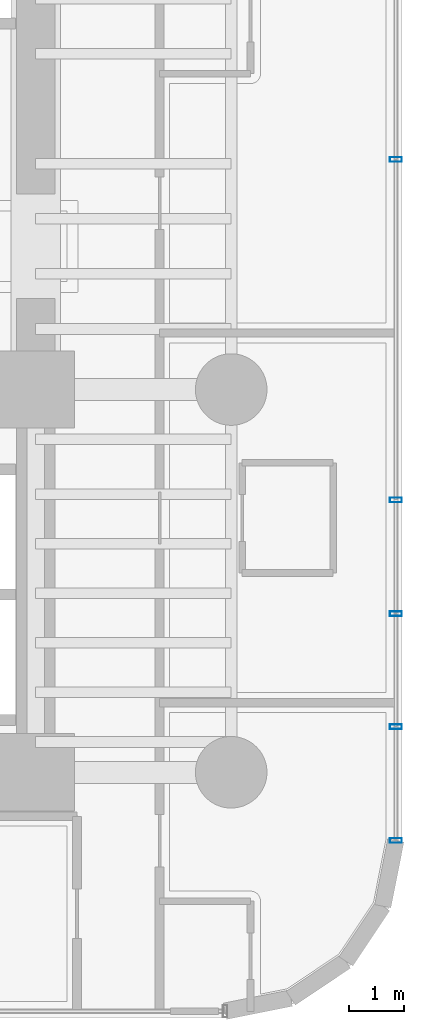
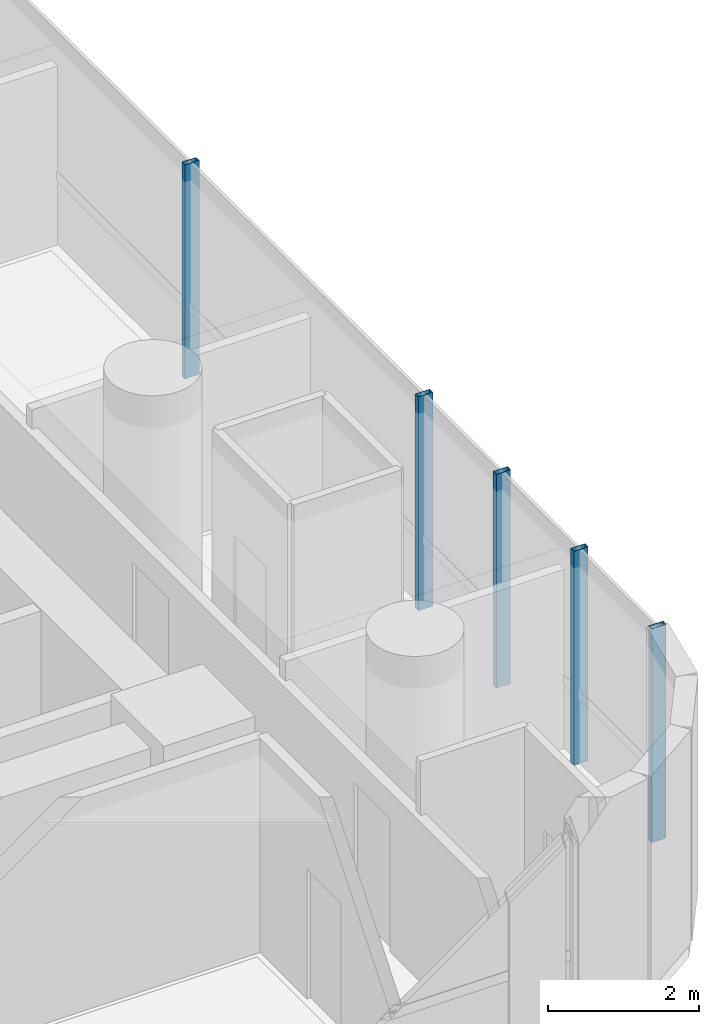
# One storey, part 24 of 39: 5 members, 1 element without a shape of its own.
"""IFC4 building model written with IfcOpenShell, lengths in metres."""

from ifc_helpers import new_model, si_unit, direction, frame, origin, origin_2d, place, context, subcontext, project, spatial, hollow_rectangle, extrude, source, transform, mapped, material, material_profile, profile_set, type_object, element, aggregate, save


model = new_model("IFC4")

# Units and contexts
model_context = context("Model", 3, precision=1e-05, world=origin(), true_north=direction((0.0, 1.0)))
body_context = subcontext(model_context, "Body", "Model", "MODEL_VIEW")
ifc_project = project(units=[si_unit("LENGTHUNIT", "METRE"), si_unit("AREAUNIT", "SQUARE_METRE"), si_unit("VOLUMEUNIT", "CUBIC_METRE"), si_unit("PLANEANGLEUNIT", "RADIAN"), si_unit("MASSUNIT", "GRAM", prefix="KILO")], contexts=[model_context])

# Site, building, storey
site_placement = place(None, origin())
site = spatial("IfcSite", under=ifc_project, at=site_placement, CompositionType="ELEMENT")
building_placement = place(site_placement, origin())
building = spatial("IfcBuilding", under=site, at=building_placement, Name="Valdorenza Pilgrim Sanctuary Tower", CompositionType="ELEMENT")
storey_placement = place(building_placement, frame((0.0, 0.0, 70.39990234375)))
storey = spatial("IfcBuildingStorey", under=building, at=storey_placement, Name="L17", CompositionType="ELEMENT", Elevation=70.39990234375)

# Curtain wall, members
ifc_material_1 = material(Name="Curtain-wall IGU glazing", Category="glass")
curtain_wall_type = type_object("IfcCurtainWallType", Name="CW-SYS-03", PredefinedType="NOTDEFINED", material=ifc_material_1)
curtain_wall_placement = place(storey_placement, origin())
curtain_wall = element("IfcCurtainWall", 1, at=curtain_wall_placement, inside=storey, type_object=curtain_wall_type, Name="L17 Curtain Wall CW-L17-1-21", PredefinedType="NOTDEFINED")
ifc_material_2 = material(Name="Anodised aluminium AW-6060", Category="aluminium")
ifc_material_profile = material_profile(ifc_material_2, hollow_rectangle(XDim=0.0849609375, YDim=0.219970703125, WallThickness=0.0048828125, at=origin_2d()), Name="ALU-M 220x85x5")
ifc_profile_set = profile_set([ifc_material_profile], Name="Anodised aluminium AW-6060")
member_type = type_object("IfcMemberType", Name="CW-MUL-03", PredefinedType="MULLION", material=ifc_profile_set)
shared_shape = source(origin(), body_context, "Body", "SweptSolid", [
    extrude(hollow_rectangle(XDim=0.0849609375, YDim=0.219970703125, WallThickness=0.0048828125, at=origin_2d()), origin(), (0.0, 0.0, 1.0), 3.460205078125),
])
member_1_placement = place(storey_placement, frame((31.389892578125, 1.577880859375, 0.0), z_axis=(0.0, 0.0, 1.0), x_axis=(0.0, -1.0, 0.0)))
member_1 = element("IfcMember", 2, at=member_1_placement, type_object=member_type, Name="CW-L17-1-21 Mullion 3", PredefinedType="MULLION", context=body_context, shape_type="MappedRepresentation", body=[
    mapped(shared_shape, transform((0.0, 0.0, 0.0), x_axis=(1.0, 0.0, 0.0), y_axis=(0.0, 1.0, 0.0), z_axis=(0.0, 0.0, 1.0), scale=1.0)),
])
member_2_placement = place(storey_placement, frame((31.389892578125, -4.605712890625, 0.0), z_axis=(0.0, 0.0, 1.0), x_axis=(0.0, -1.0, 0.0)))
member_2 = element("IfcMember", 3, at=member_2_placement, type_object=member_type, Name="CW-L17-1-21 Mullion 4", PredefinedType="MULLION", context=body_context, shape_type="MappedRepresentation", body=[
    mapped(shared_shape, transform((0.0, 0.0, 0.0), x_axis=(1.0, 0.0, 0.0), y_axis=(0.0, 1.0, 0.0), z_axis=(0.0, 0.0, 1.0), scale=1.0)),
])
member_3_placement = place(storey_placement, frame((31.389892578125, -10.789306640625, 0.0), z_axis=(0.0, 0.0, 1.0), x_axis=(0.0, -1.0, 0.0)))
member_3 = element("IfcMember", 4, at=member_3_placement, type_object=member_type, Name="CW-L17-1-21 Mullion 5", PredefinedType="MULLION", context=body_context, shape_type="MappedRepresentation", body=[
    mapped(shared_shape, transform((0.0, 0.0, 0.0), x_axis=(1.0, 0.0, 0.0), y_axis=(0.0, 1.0, 0.0), z_axis=(0.0, 0.0, 1.0), scale=1.0)),
])
member_4_placement = place(storey_placement, frame((31.389892578125, -6.670166015625, 0.0), z_axis=(0.0, 0.0, 1.0), x_axis=(0.0, -1.0, 0.0)))
member_4 = element("IfcMember", 5, at=member_4_placement, type_object=member_type, Name="CW-L17-1-21 Sub-Mullion 27-1", PredefinedType="MULLION", context=body_context, shape_type="MappedRepresentation", body=[
    mapped(shared_shape, transform((0.0, 0.0, 0.0), x_axis=(1.0, 0.0, 0.0), y_axis=(0.0, 1.0, 0.0), z_axis=(0.0, 0.0, 1.0), scale=1.0)),
])
member_5_placement = place(storey_placement, frame((31.389892578125, -8.724609375, 0.0), z_axis=(0.0, 0.0, 1.0), x_axis=(0.0, -1.0, 0.0)))
member_5 = element("IfcMember", 6, at=member_5_placement, type_object=member_type, Name="CW-L17-1-21 Sub-Mullion 27-2", PredefinedType="MULLION", context=body_context, shape_type="MappedRepresentation", body=[
    mapped(shared_shape, transform((0.0, 0.0, 0.0), x_axis=(1.0, 0.0, 0.0), y_axis=(0.0, 1.0, 0.0), z_axis=(0.0, 0.0, 1.0), scale=1.0)),
])
aggregate(curtain_wall, [member_1, member_2, member_3, member_4, member_5])

save(model, "model.ifc")
